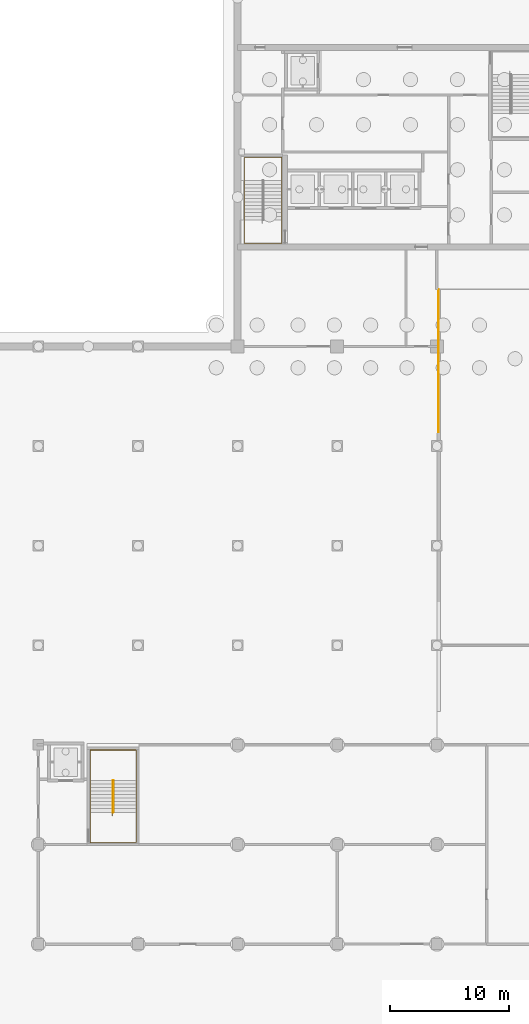
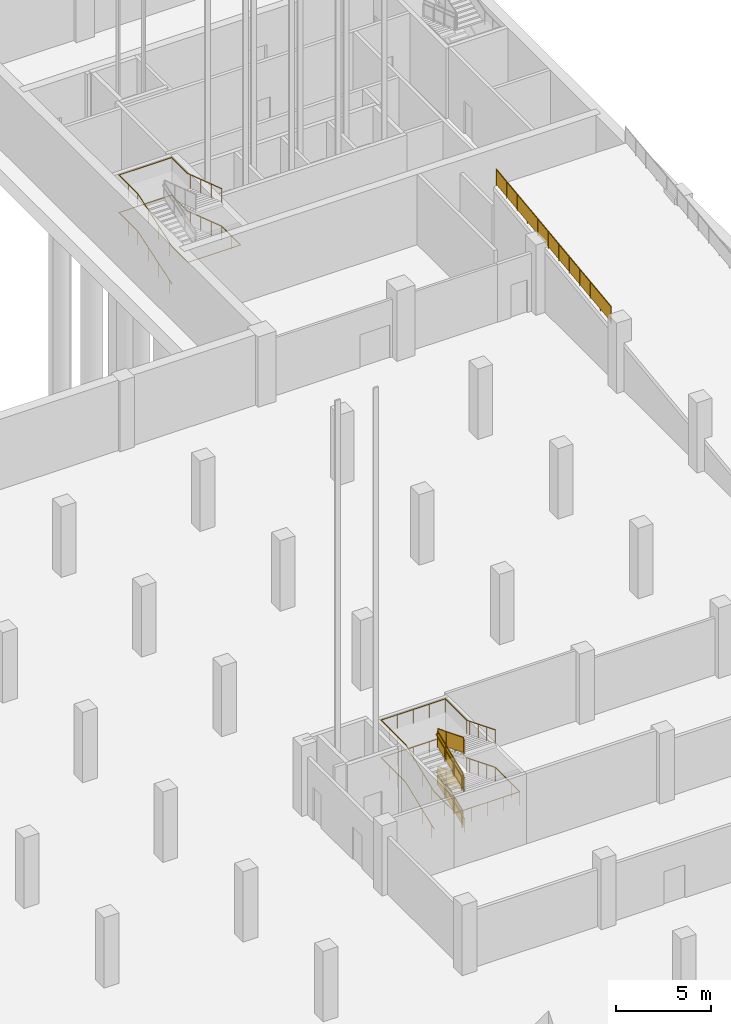
# One storey, part 23 of 26: 8 railings.
"""IFC4 building model written with IfcOpenShell, lengths in metres."""

from ifc_helpers import new_model, si_unit, direction, frame, origin, origin_2d, place, context, subcontext, project, spatial, polyline, circle, outline, extrude, material, type_object, element, save


model = new_model("IFC4")

# Units and contexts
model_context = context("Model", 3, precision=1e-05, world=origin(), true_north=direction((0.0, 1.0)))
body_context = subcontext(model_context, "Body", "Model", "MODEL_VIEW")
ifc_project = project(units=[si_unit("LENGTHUNIT", "METRE"), si_unit("AREAUNIT", "SQUARE_METRE"), si_unit("VOLUMEUNIT", "CUBIC_METRE"), si_unit("PLANEANGLEUNIT", "RADIAN"), si_unit("MASSUNIT", "GRAM", prefix="KILO")], contexts=[model_context])

# Site, building, storey
site_placement = place(None, origin())
site = spatial("IfcSite", under=ifc_project, at=site_placement, CompositionType="ELEMENT")
building_placement = place(site_placement, origin())
building = spatial("IfcBuilding", under=site, at=building_placement, Name="Rulbaag Community and Learning Centre", CompositionType="ELEMENT")
storey_placement = place(building_placement, frame((0.0, 0.0, -9.60009765625)))
storey = spatial("IfcBuildingStorey", under=building, at=storey_placement, Name="B2", CompositionType="ELEMENT", Elevation=-9.60009765625)

# Railings
ifc_material_1 = material(Name="Galvanised mild steel", Category="steel")
railing_type_1 = type_object("IfcRailingType", Name="GR-1100 GUARD 1100", PredefinedType="GUARDRAIL", material=ifc_material_1)
railing_1_placement = place(storey_placement, frame((132.280029296875, 44.71240234375, 0.1201171875)))
element("IfcRailing", 1, at=railing_1_placement, inside=storey, type_object=railing_type_1, Name="Guard SH3 B2 G", PredefinedType="GUARDRAIL", context=body_context, shape_type="SweptSolid", body=[
    extrude(circle(Radius=0.02490234375, at=origin_2d()), frame((0.0, 0.0, 1.0751953125), z_axis=(0.0, 0.928476690885, 0.371390676354), x_axis=(-1.0, 0.0, 0.0)), (0.0, 0.0, 1.0), 2.908203125),
    extrude(circle(Radius=0.02001953125, at=origin_2d()), origin(), (0.0, 0.0, 1.0), 1.050048828125),
    extrude(circle(Radius=0.02001953125, at=origin_2d()), frame((0.0, 0.900146484375, 0.360107421875)), (0.0, 0.0, 1.0), 1.050048828125),
    extrude(circle(Radius=0.02001953125, at=origin_2d()), frame((0.0, 1.800048828125, 0.719970703125)), (0.0, 0.0, 1.0), 1.050048828125),
    extrude(circle(Radius=0.02001953125, at=origin_2d()), frame((0.0, 2.7001953125, 1.080078125)), (0.0, 0.0, 1.0), 1.050048828125),
    extrude(outline(polyline([(0.0, 0.0), (2.7001953125, 1.080078125), (2.7001953125, 2.030029296875), (0.0, 0.949951171875), (0.0, 0.0)])), frame((-0.0048828125, 0.0, 0.10009765625), z_axis=(1.0, 0.0, 0.0), x_axis=(0.0, 1.0, 0.0)), (0.0, 0.0, 1.0), 0.010009765625),
])
railing_2_placement = place(storey_placement, frame((132.320068359375, 47.41259765625, 1.320068359375)))
element("IfcRailing", 2, at=railing_2_placement, inside=storey, type_object=railing_type_1, Name="Guard SH3 B2 G2", PredefinedType="GUARDRAIL", context=body_context, shape_type="SweptSolid", body=[
    extrude(circle(Radius=0.02490234375, at=origin_2d()), frame((0.0, 0.0, 1.0751953125), z_axis=(0.0, -0.928476690885, 0.371390676354), x_axis=(1.0, 0.0, 0.0)), (0.0, 0.0, 1.0), 2.908203125),
    extrude(circle(Radius=0.02001953125, at=origin_2d()), origin(), (0.0, 0.0, 1.0), 1.050048828125),
    extrude(circle(Radius=0.02001953125, at=origin_2d()), frame((0.0, -0.900146484375, 0.360107421875)), (0.0, 0.0, 1.0), 1.050048828125),
    extrude(circle(Radius=0.02001953125, at=origin_2d()), frame((0.0, -1.800048828125, 0.719970703125)), (0.0, 0.0, 1.0), 1.050048828125),
    extrude(circle(Radius=0.02001953125, at=origin_2d()), frame((0.0, -2.7001953125, 1.080078125)), (0.0, 0.0, 1.0), 1.050048828125),
    extrude(outline(polyline([(0.0, 0.0), (2.7001953125, 1.080078125), (2.7001953125, 2.030029296875), (0.0, 0.949951171875), (0.0, 0.0)])), frame((0.0048828125, 0.0, 0.10009765625), z_axis=(-1.0, 0.0, 0.0), x_axis=(0.0, -1.0, 0.0)), (0.0, 0.0, 1.0), 0.010009765625),
])
railing_3_placement = place(storey_placement, frame((132.280029296875, 44.71240234375, 2.52001953125)))
element("IfcRailing", 3, at=railing_3_placement, inside=storey, type_object=railing_type_1, Name="Guard SH3 B2 G3", PredefinedType="GUARDRAIL", context=body_context, shape_type="SweptSolid", body=[
    extrude(circle(Radius=0.02490234375, at=origin_2d()), frame((0.0, 0.0, 1.0751953125), z_axis=(0.0, 0.928476690885, 0.371390676354), x_axis=(-1.0, 0.0, 0.0)), (0.0, 0.0, 1.0), 2.908203125),
    extrude(circle(Radius=0.02001953125, at=origin_2d()), origin(), (0.0, 0.0, 1.0), 1.050048828125),
    extrude(circle(Radius=0.02001953125, at=origin_2d()), frame((0.0, 0.900146484375, 0.360107421875)), (0.0, 0.0, 1.0), 1.050048828125),
    extrude(circle(Radius=0.02001953125, at=origin_2d()), frame((0.0, 1.800048828125, 0.719970703125)), (0.0, 0.0, 1.0), 1.050048828125),
    extrude(circle(Radius=0.02001953125, at=origin_2d()), frame((0.0, 2.7001953125, 1.080078125)), (0.0, 0.0, 1.0), 1.050048828125),
    extrude(outline(polyline([(0.0, 0.0), (2.7001953125, 1.080078125), (2.7001953125, 2.030029296875), (0.0, 0.949951171875), (0.0, 0.0)])), frame((-0.0048828125, 0.0, 0.10009765625), z_axis=(1.0, 0.0, 0.0), x_axis=(0.0, 1.0, 0.0)), (0.0, 0.0, 1.0), 0.010009765625),
])
railing_4_placement = place(storey_placement, frame((132.320068359375, 47.41259765625, 3.72021484375)))
element("IfcRailing", 4, at=railing_4_placement, inside=storey, type_object=railing_type_1, Name="Guard SH3 B2 G4", PredefinedType="GUARDRAIL", context=body_context, shape_type="SweptSolid", body=[
    extrude(circle(Radius=0.02490234375, at=origin_2d()), frame((0.0, 0.0, 1.0751953125), z_axis=(0.0, -0.928505636922, 0.371318303084), x_axis=(1.0, 0.0, 0.0)), (0.0, 0.0, 1.0), 2.908203125),
    extrude(circle(Radius=0.02001953125, at=origin_2d()), origin(), (0.0, 0.0, 1.0), 1.050048828125),
    extrude(circle(Radius=0.02001953125, at=origin_2d()), frame((0.0, -0.900146484375, 0.35986328125)), (0.0, 0.0, 1.0), 1.050048828125),
    extrude(circle(Radius=0.02001953125, at=origin_2d()), frame((0.0, -1.800048828125, 0.719970703125)), (0.0, 0.0, 1.0), 1.050048828125),
    extrude(circle(Radius=0.02001953125, at=origin_2d()), frame((0.0, -2.7001953125, 1.079833984375)), (0.0, 0.0, 1.0), 1.050048828125),
    extrude(outline(polyline([(0.0, 0.0), (2.7001953125, 1.079833984375), (2.7001953125, 2.02978515625), (0.0, 0.949951171875), (0.0, 0.0)])), frame((0.0048828125, 0.0, 0.10009765625), z_axis=(-1.0, 0.0, 0.0), x_axis=(0.0, -1.0, 0.0)), (0.0, 0.0, 1.0), 0.010009765625),
])
ifc_material_2 = material(Name="Stainless steel grade 316", Category="steel")
railing_type_2 = type_object("IfcRailingType", Name="HR-900 HANDRAIL 900", PredefinedType="HANDRAIL", material=ifc_material_2)
railing_5_placement = place(storey_placement, frame((130.360107421875, 44.41259765625, 0.0)))
element("IfcRailing", 5, at=railing_5_placement, inside=storey, type_object=railing_type_2, Name="Handrail SH3 B2 O", PredefinedType="HANDRAIL", context=body_context, shape_type="SweptSolid", body=[
    extrude(circle(Radius=0.024169921875, at=origin_2d()), frame((0.0, 0.0, 0.875732421875), z_axis=(0.0, 0.928268015265, 0.371911940969), x_axis=(-1.0, 0.0, 0.0)), (0.0, 0.0, 1.0), 0.322998046875),
    extrude(circle(Radius=0.024169921875, at=origin_2d()), frame((0.0, 0.2998046875, 0.995849609375), z_axis=(0.0, 0.928476690885, 0.371390676354), x_axis=(-1.0, 0.0, 0.0)), (0.0, 0.0, 1.0), 2.908203125),
    extrude(circle(Radius=0.024169921875, at=origin_2d()), frame((0.0, 3.0, 2.075927734375), z_axis=(0.0, 1.0, 0.0), x_axis=(-1.0, 0.0, 0.0)), (0.0, 0.0, 1.0), 2.552490234375),
    extrude(circle(Radius=0.024169921875, at=origin_2d()), frame((0.0, 5.552490234375, 2.075927734375), z_axis=(1.0, 0.0, 0.0), x_axis=(0.0, 1.0, 0.0)), (0.0, 0.0, 1.0), 3.8798828125),
    extrude(circle(Radius=0.024169921875, at=origin_2d()), frame((3.8798828125, 5.552490234375, 2.075927734375), z_axis=(0.0, -1.0, 0.0), x_axis=(1.0, 0.0, 0.0)), (0.0, 0.0, 1.0), 2.252685546875),
    extrude(circle(Radius=0.024169921875, at=origin_2d()), frame((3.8798828125, 3.2998046875, 2.075927734375), z_axis=(0.0, -0.928528828696, 0.371260305285), x_axis=(1.0, 0.0, 0.0)), (0.0, 0.0, 1.0), 0.322998046875),
    extrude(circle(Radius=0.024169921875, at=origin_2d()), frame((3.8798828125, 3.0, 2.19580078125), z_axis=(0.0, -0.928476690885, 0.371390676354), x_axis=(1.0, 0.0, 0.0)), (0.0, 0.0, 1.0), 2.908203125),
    extrude(circle(Radius=0.024169921875, at=origin_2d()), frame((3.8798828125, 0.2998046875, 3.27587890625), z_axis=(0.0, -1.0, 0.0), x_axis=(1.0, 0.0, 0.0)), (0.0, 0.0, 1.0), 2.552490234375),
    extrude(circle(Radius=0.024169921875, at=origin_2d()), frame((3.8798828125, -2.252685546875, 3.27587890625), z_axis=(-1.0, 0.0, 0.0), x_axis=(0.0, -1.0, 0.0)), (0.0, 0.0, 1.0), 3.8798828125),
    extrude(circle(Radius=0.024169921875, at=origin_2d()), frame((0.0, -2.252685546875, 3.27587890625), z_axis=(0.0, 1.0, 0.0), x_axis=(-1.0, 0.0, 0.0)), (0.0, 0.0, 1.0), 2.252685546875),
    extrude(circle(Radius=0.024169921875, at=origin_2d()), frame((0.0, 0.0, 3.27587890625), z_axis=(0.0, 0.928528828696, 0.371260305285), x_axis=(-1.0, 0.0, 0.0)), (0.0, 0.0, 1.0), 0.322998046875),
    extrude(circle(Radius=0.024169921875, at=origin_2d()), frame((0.0, 0.2998046875, 3.395751953125), z_axis=(0.0, 0.928476690885, 0.371390676354), x_axis=(-1.0, 0.0, 0.0)), (0.0, 0.0, 1.0), 2.908203125),
    extrude(circle(Radius=0.024169921875, at=origin_2d()), frame((0.0, 3.0, 4.475830078125), z_axis=(0.0, 1.0, 0.0), x_axis=(-1.0, 0.0, 0.0)), (0.0, 0.0, 1.0), 2.552490234375),
    extrude(circle(Radius=0.024169921875, at=origin_2d()), frame((0.0, 5.552490234375, 4.475830078125), z_axis=(1.0, 0.0, 0.0), x_axis=(0.0, 1.0, 0.0)), (0.0, 0.0, 1.0), 3.8798828125),
    extrude(circle(Radius=0.024169921875, at=origin_2d()), frame((3.8798828125, 5.552490234375, 4.475830078125), z_axis=(0.0, -1.0, 0.0), x_axis=(1.0, 0.0, 0.0)), (0.0, 0.0, 1.0), 2.252685546875),
    extrude(circle(Radius=0.024169921875, at=origin_2d()), frame((3.8798828125, 3.2998046875, 4.475830078125), z_axis=(0.0, -0.928268015265, 0.371911940969), x_axis=(1.0, 0.0, 0.0)), (0.0, 0.0, 1.0), 0.322998046875),
    extrude(circle(Radius=0.024169921875, at=origin_2d()), frame((3.8798828125, 3.0, 4.595947265625), z_axis=(0.0, -0.928505636922, 0.371318303084), x_axis=(1.0, 0.0, 0.0)), (0.0, 0.0, 1.0), 2.908203125),
    extrude(circle(Radius=0.008056640625, at=origin_2d()), origin(), (0.0, 0.0, 1.0), 0.8515625),
    extrude(circle(Radius=0.008056640625, at=origin_2d()), frame((0.0, 0.2998046875, 0.1201171875)), (0.0, 0.0, 1.0), 0.8515625),
    extrude(circle(Radius=0.008056640625, at=origin_2d()), frame((0.0, 1.199951171875, 0.480224609375)), (0.0, 0.0, 1.0), 0.8515625),
    extrude(circle(Radius=0.008056640625, at=origin_2d()), frame((0.0, 2.099853515625, 0.840087890625)), (0.0, 0.0, 1.0), 0.8515625),
    extrude(circle(Radius=0.008056640625, at=origin_2d()), frame((0.0, 3.0, 1.2001953125)), (0.0, 0.0, 1.0), 0.8515625),
    extrude(circle(Radius=0.008056640625, at=origin_2d()), frame((0.0, 3.850830078125, 1.2001953125)), (0.0, 0.0, 1.0), 0.8515625),
    extrude(circle(Radius=0.008056640625, at=origin_2d()), frame((0.0, 4.70166015625, 1.2001953125)), (0.0, 0.0, 1.0), 0.8515625),
    extrude(circle(Radius=0.008056640625, at=origin_2d()), frame((0.0, 5.552490234375, 1.2001953125)), (0.0, 0.0, 1.0), 0.8515625),
    extrude(circle(Radius=0.008056640625, at=origin_2d()), frame((0.969970703125, 5.552490234375, 1.2001953125)), (0.0, 0.0, 1.0), 0.8515625),
    extrude(circle(Radius=0.008056640625, at=origin_2d()), frame((1.93994140625, 5.552490234375, 1.2001953125)), (0.0, 0.0, 1.0), 0.8515625),
    extrude(circle(Radius=0.008056640625, at=origin_2d()), frame((2.909912109375, 5.552490234375, 1.2001953125)), (0.0, 0.0, 1.0), 0.8515625),
    extrude(circle(Radius=0.008056640625, at=origin_2d()), frame((3.8798828125, 5.552490234375, 1.2001953125)), (0.0, 0.0, 1.0), 0.8515625),
    extrude(circle(Radius=0.008056640625, at=origin_2d()), frame((3.8798828125, 4.42626953125, 1.2001953125)), (0.0, 0.0, 1.0), 0.8515625),
    extrude(circle(Radius=0.008056640625, at=origin_2d()), frame((3.8798828125, 3.2998046875, 1.2001953125)), (0.0, 0.0, 1.0), 0.8515625),
    extrude(circle(Radius=0.008056640625, at=origin_2d()), frame((3.8798828125, 3.0, 1.320068359375)), (0.0, 0.0, 1.0), 0.8515625),
    extrude(circle(Radius=0.008056640625, at=origin_2d()), frame((3.8798828125, 2.099853515625, 1.68017578125)), (0.0, 0.0, 1.0), 0.8515625),
    extrude(circle(Radius=0.008056640625, at=origin_2d()), frame((3.8798828125, 1.199951171875, 2.0400390625)), (0.0, 0.0, 1.0), 0.8515625),
    extrude(circle(Radius=0.008056640625, at=origin_2d()), frame((3.8798828125, 0.2998046875, 2.400146484375)), (0.0, 0.0, 1.0), 0.8515625),
    extrude(circle(Radius=0.008056640625, at=origin_2d()), frame((3.8798828125, -0.551025390625, 2.400146484375)), (0.0, 0.0, 1.0), 0.8515625),
    extrude(circle(Radius=0.008056640625, at=origin_2d()), frame((3.8798828125, -1.40185546875, 2.400146484375)), (0.0, 0.0, 1.0), 0.8515625),
    extrude(circle(Radius=0.008056640625, at=origin_2d()), frame((3.8798828125, -2.252685546875, 2.400146484375)), (0.0, 0.0, 1.0), 0.8515625),
    extrude(circle(Radius=0.008056640625, at=origin_2d()), frame((2.909912109375, -2.252685546875, 2.400146484375)), (0.0, 0.0, 1.0), 0.8515625),
    extrude(circle(Radius=0.008056640625, at=origin_2d()), frame((1.93994140625, -2.252685546875, 2.400146484375)), (0.0, 0.0, 1.0), 0.8515625),
    extrude(circle(Radius=0.008056640625, at=origin_2d()), frame((0.969970703125, -2.252685546875, 2.400146484375)), (0.0, 0.0, 1.0), 0.8515625),
    extrude(circle(Radius=0.008056640625, at=origin_2d()), frame((0.0, -2.252685546875, 2.400146484375)), (0.0, 0.0, 1.0), 0.8515625),
    extrude(circle(Radius=0.008056640625, at=origin_2d()), frame((0.0, -1.12646484375, 2.400146484375)), (0.0, 0.0, 1.0), 0.8515625),
    extrude(circle(Radius=0.008056640625, at=origin_2d()), frame((0.0, 0.0, 2.400146484375)), (0.0, 0.0, 1.0), 0.8515625),
    extrude(circle(Radius=0.008056640625, at=origin_2d()), frame((0.0, 0.2998046875, 2.52001953125)), (0.0, 0.0, 1.0), 0.8515625),
    extrude(circle(Radius=0.008056640625, at=origin_2d()), frame((0.0, 1.199951171875, 2.880126953125)), (0.0, 0.0, 1.0), 0.8515625),
    extrude(circle(Radius=0.008056640625, at=origin_2d()), frame((0.0, 2.099853515625, 3.239990234375)), (0.0, 0.0, 1.0), 0.8515625),
    extrude(circle(Radius=0.008056640625, at=origin_2d()), frame((0.0, 3.0, 3.60009765625)), (0.0, 0.0, 1.0), 0.8515625),
    extrude(circle(Radius=0.008056640625, at=origin_2d()), frame((0.0, 3.850830078125, 3.60009765625)), (0.0, 0.0, 1.0), 0.8515625),
    extrude(circle(Radius=0.008056640625, at=origin_2d()), frame((0.0, 4.70166015625, 3.60009765625)), (0.0, 0.0, 1.0), 0.8515625),
    extrude(circle(Radius=0.008056640625, at=origin_2d()), frame((0.0, 5.552490234375, 3.60009765625)), (0.0, 0.0, 1.0), 0.8515625),
    extrude(circle(Radius=0.008056640625, at=origin_2d()), frame((0.969970703125, 5.552490234375, 3.60009765625)), (0.0, 0.0, 1.0), 0.8515625),
    extrude(circle(Radius=0.008056640625, at=origin_2d()), frame((1.93994140625, 5.552490234375, 3.60009765625)), (0.0, 0.0, 1.0), 0.8515625),
    extrude(circle(Radius=0.008056640625, at=origin_2d()), frame((2.909912109375, 5.552490234375, 3.60009765625)), (0.0, 0.0, 1.0), 0.8515625),
    extrude(circle(Radius=0.008056640625, at=origin_2d()), frame((3.8798828125, 5.552490234375, 3.60009765625)), (0.0, 0.0, 1.0), 0.8515625),
    extrude(circle(Radius=0.008056640625, at=origin_2d()), frame((3.8798828125, 4.42626953125, 3.60009765625)), (0.0, 0.0, 1.0), 0.8515625),
    extrude(circle(Radius=0.008056640625, at=origin_2d()), frame((3.8798828125, 3.2998046875, 3.60009765625)), (0.0, 0.0, 1.0), 0.8515625),
    extrude(circle(Radius=0.008056640625, at=origin_2d()), frame((3.8798828125, 3.0, 3.72021484375)), (0.0, 0.0, 1.0), 0.8515625),
    extrude(circle(Radius=0.008056640625, at=origin_2d()), frame((3.8798828125, 2.099853515625, 4.080078125)), (0.0, 0.0, 1.0), 0.8515625),
    extrude(circle(Radius=0.008056640625, at=origin_2d()), frame((3.8798828125, 1.199951171875, 4.440185546875)), (0.0, 0.0, 1.0), 0.8515625),
    extrude(circle(Radius=0.008056640625, at=origin_2d()), frame((3.8798828125, 0.2998046875, 4.800048828125)), (0.0, 0.0, 1.0), 0.8515625),
])
railing_6_placement = place(storey_placement, frame((132.2099609375, 44.41259765625, 0.0)))
element("IfcRailing", 6, at=railing_6_placement, inside=storey, type_object=railing_type_2, Name="Handrail SH3 B2 I", PredefinedType="HANDRAIL", context=body_context, shape_type="SweptSolid", body=[
    extrude(circle(Radius=0.024169921875, at=origin_2d()), frame((0.0, 0.0, 0.875732421875), z_axis=(0.0, 0.928268015265, 0.371911940969), x_axis=(-1.0, 0.0, 0.0)), (0.0, 0.0, 1.0), 0.322998046875),
    extrude(circle(Radius=0.024169921875, at=origin_2d()), frame((0.0, 0.2998046875, 0.995849609375), z_axis=(0.0, 0.928476690885, 0.371390676354), x_axis=(-1.0, 0.0, 0.0)), (0.0, 0.0, 1.0), 2.908203125),
    extrude(circle(Radius=0.024169921875, at=origin_2d()), frame((0.0, 3.0, 2.075927734375), z_axis=(0.832223977356, 0.0, 0.554439583286), x_axis=(0.0, 1.0, 0.0)), (0.0, 0.0, 1.0), 0.21630859375),
    extrude(circle(Radius=0.024169921875, at=origin_2d()), frame((0.179931640625, 3.0, 2.19580078125), z_axis=(0.0, -0.928476690885, 0.371390676354), x_axis=(1.0, 0.0, 0.0)), (0.0, 0.0, 1.0), 2.908203125),
    extrude(circle(Radius=0.024169921875, at=origin_2d()), frame((0.179931640625, 0.2998046875, 3.27587890625), z_axis=(-0.832223977356, 0.0, 0.554439583286), x_axis=(0.0, -1.0, 0.0)), (0.0, 0.0, 1.0), 0.21630859375),
    extrude(circle(Radius=0.024169921875, at=origin_2d()), frame((0.0, 0.2998046875, 3.395751953125), z_axis=(0.0, 0.928476690885, 0.371390676354), x_axis=(-1.0, 0.0, 0.0)), (0.0, 0.0, 1.0), 2.908203125),
    extrude(circle(Radius=0.024169921875, at=origin_2d()), frame((0.0, 3.0, 4.475830078125), z_axis=(0.831702901217, 0.0, 0.555220932699), x_axis=(0.0, 1.0, 0.0)), (0.0, 0.0, 1.0), 0.21630859375),
    extrude(circle(Radius=0.024169921875, at=origin_2d()), frame((0.179931640625, 3.0, 4.595947265625), z_axis=(0.0, -0.928505636922, 0.371318303084), x_axis=(1.0, 0.0, 0.0)), (0.0, 0.0, 1.0), 2.908203125),
    extrude(circle(Radius=0.008056640625, at=origin_2d()), origin(), (0.0, 0.0, 1.0), 0.8515625),
    extrude(circle(Radius=0.008056640625, at=origin_2d()), frame((0.0, 0.2998046875, 0.1201171875)), (0.0, 0.0, 1.0), 0.8515625),
    extrude(circle(Radius=0.008056640625, at=origin_2d()), frame((0.0, 1.199951171875, 0.480224609375)), (0.0, 0.0, 1.0), 0.8515625),
    extrude(circle(Radius=0.008056640625, at=origin_2d()), frame((0.0, 2.099853515625, 0.840087890625)), (0.0, 0.0, 1.0), 0.8515625),
    extrude(circle(Radius=0.008056640625, at=origin_2d()), frame((0.0, 3.0, 1.2001953125)), (0.0, 0.0, 1.0), 0.8515625),
    extrude(circle(Radius=0.008056640625, at=origin_2d()), frame((0.179931640625, 3.0, 1.320068359375)), (0.0, 0.0, 1.0), 0.8515625),
    extrude(circle(Radius=0.008056640625, at=origin_2d()), frame((0.179931640625, 2.099853515625, 1.68017578125)), (0.0, 0.0, 1.0), 0.8515625),
    extrude(circle(Radius=0.008056640625, at=origin_2d()), frame((0.179931640625, 1.199951171875, 2.0400390625)), (0.0, 0.0, 1.0), 0.8515625),
    extrude(circle(Radius=0.008056640625, at=origin_2d()), frame((0.179931640625, 0.2998046875, 2.400146484375)), (0.0, 0.0, 1.0), 0.8515625),
    extrude(circle(Radius=0.008056640625, at=origin_2d()), frame((0.0, 0.2998046875, 2.52001953125)), (0.0, 0.0, 1.0), 0.8515625),
    extrude(circle(Radius=0.008056640625, at=origin_2d()), frame((0.0, 1.199951171875, 2.880126953125)), (0.0, 0.0, 1.0), 0.8515625),
    extrude(circle(Radius=0.008056640625, at=origin_2d()), frame((0.0, 2.099853515625, 3.239990234375)), (0.0, 0.0, 1.0), 0.8515625),
    extrude(circle(Radius=0.008056640625, at=origin_2d()), frame((0.0, 3.0, 3.60009765625)), (0.0, 0.0, 1.0), 0.8515625),
    extrude(circle(Radius=0.008056640625, at=origin_2d()), frame((0.179931640625, 3.0, 3.72021484375)), (0.0, 0.0, 1.0), 0.8515625),
    extrude(circle(Radius=0.008056640625, at=origin_2d()), frame((0.179931640625, 2.099853515625, 4.080078125)), (0.0, 0.0, 1.0), 0.8515625),
    extrude(circle(Radius=0.008056640625, at=origin_2d()), frame((0.179931640625, 1.199951171875, 4.440185546875)), (0.0, 0.0, 1.0), 0.8515625),
    extrude(circle(Radius=0.008056640625, at=origin_2d()), frame((0.179931640625, 0.2998046875, 4.800048828125)), (0.0, 0.0, 1.0), 0.8515625),
])
railing_7_placement = place(storey_placement, frame((143.360107421875, 94.375, 0.0)))
element("IfcRailing", 7, at=railing_7_placement, inside=storey, type_object=railing_type_2, Name="Handrail ST1 B2 O", PredefinedType="HANDRAIL", context=body_context, shape_type="SweptSolid", body=[
    extrude(circle(Radius=0.024169921875, at=origin_2d()), frame((0.0, 0.0, 0.875732421875), z_axis=(0.0, 0.948606084593, 0.316459312191), x_axis=(-1.0, 0.0, 0.0)), (0.0, 0.0, 1.0), 0.31640625),
    extrude(circle(Radius=0.024169921875, at=origin_2d()), frame((0.0, 0.300048828125, 0.975830078125), z_axis=(0.0, 0.948676279423, 0.31624882112), x_axis=(-1.0, 0.0, 0.0)), (0.0, 0.0, 1.0), 3.478515625),
    extrude(circle(Radius=0.024169921875, at=origin_2d()), frame((0.0, 3.60009765625, 2.075927734375), z_axis=(0.0, 1.0, 0.0), x_axis=(-1.0, 0.0, 0.0)), (0.0, 0.0, 1.0), 1.96484375),
    extrude(circle(Radius=0.024169921875, at=origin_2d()), frame((0.0, 5.56494140625, 2.075927734375), z_axis=(1.0, 0.0, 0.0), x_axis=(0.0, 1.0, 0.0)), (0.0, 0.0, 1.0), 3.179931640625),
    extrude(circle(Radius=0.024169921875, at=origin_2d()), frame((3.179931640625, 5.56494140625, 2.075927734375), z_axis=(0.0, -1.0, 0.0), x_axis=(1.0, 0.0, 0.0)), (0.0, 0.0, 1.0), 1.6650390625),
    extrude(circle(Radius=0.024169921875, at=origin_2d()), frame((3.179931640625, 3.89990234375, 2.075927734375), z_axis=(0.0, -0.948760530366, 0.31599597469), x_axis=(1.0, 0.0, 0.0)), (0.0, 0.0, 1.0), 0.31591796875),
    extrude(circle(Radius=0.024169921875, at=origin_2d()), frame((3.179931640625, 3.60009765625, 2.17578125), z_axis=(0.0, -0.948676279423, 0.31624882112), x_axis=(1.0, 0.0, 0.0)), (0.0, 0.0, 1.0), 3.478515625),
    extrude(circle(Radius=0.024169921875, at=origin_2d()), frame((3.179931640625, 0.300048828125, 3.27587890625), z_axis=(0.0, -1.0, 0.0), x_axis=(1.0, 0.0, 0.0)), (0.0, 0.0, 1.0), 1.965087890625),
    extrude(circle(Radius=0.024169921875, at=origin_2d()), frame((3.179931640625, -1.6650390625, 3.27587890625), z_axis=(-1.0, 0.0, 0.0), x_axis=(0.0, -1.0, 0.0)), (0.0, 0.0, 1.0), 3.179931640625),
    extrude(circle(Radius=0.024169921875, at=origin_2d()), frame((0.0, -1.6650390625, 3.27587890625), z_axis=(0.0, 1.0, 0.0), x_axis=(-1.0, 0.0, 0.0)), (0.0, 0.0, 1.0), 1.6650390625),
    extrude(circle(Radius=0.024169921875, at=origin_2d()), frame((0.0, 0.0, 3.27587890625), z_axis=(0.0, 0.948837593029, 0.315764504108), x_axis=(-1.0, 0.0, 0.0)), (0.0, 0.0, 1.0), 0.316162109375),
    extrude(circle(Radius=0.024169921875, at=origin_2d()), frame((0.0, 0.300048828125, 3.375732421875), z_axis=(0.0, 0.948676279423, 0.31624882112), x_axis=(-1.0, 0.0, 0.0)), (0.0, 0.0, 1.0), 3.478515625),
    extrude(circle(Radius=0.024169921875, at=origin_2d()), frame((0.0, 3.60009765625, 4.475830078125), z_axis=(0.0, 1.0, 0.0), x_axis=(-1.0, 0.0, 0.0)), (0.0, 0.0, 1.0), 1.96484375),
    extrude(circle(Radius=0.024169921875, at=origin_2d()), frame((0.0, 5.56494140625, 4.475830078125), z_axis=(1.0, 0.0, 0.0), x_axis=(0.0, 1.0, 0.0)), (0.0, 0.0, 1.0), 3.179931640625),
    extrude(circle(Radius=0.024169921875, at=origin_2d()), frame((3.179931640625, 5.56494140625, 4.475830078125), z_axis=(0.0, -1.0, 0.0), x_axis=(1.0, 0.0, 0.0)), (0.0, 0.0, 1.0), 1.6650390625),
    extrude(circle(Radius=0.024169921875, at=origin_2d()), frame((3.179931640625, 3.89990234375, 4.475830078125), z_axis=(0.0, -0.948528701346, 0.316691178788), x_axis=(1.0, 0.0, 0.0)), (0.0, 0.0, 1.0), 0.316162109375),
    extrude(circle(Radius=0.024169921875, at=origin_2d()), frame((3.179931640625, 3.60009765625, 4.575927734375), z_axis=(0.0, -0.948697334215, 0.316185654408), x_axis=(1.0, 0.0, 0.0)), (0.0, 0.0, 1.0), 3.478515625),
    extrude(circle(Radius=0.008056640625, at=origin_2d()), origin(), (0.0, 0.0, 1.0), 0.8515625),
    extrude(circle(Radius=0.008056640625, at=origin_2d()), frame((0.0, 0.300048828125, 0.10009765625)), (0.0, 0.0, 1.0), 0.8515625),
    extrude(circle(Radius=0.008056640625, at=origin_2d()), frame((0.0, 1.400146484375, 0.466796875)), (0.0, 0.0, 1.0), 0.8515625),
    extrude(circle(Radius=0.008056640625, at=origin_2d()), frame((0.0, 2.5, 0.83349609375)), (0.0, 0.0, 1.0), 0.8515625),
    extrude(circle(Radius=0.008056640625, at=origin_2d()), frame((0.0, 3.60009765625, 1.2001953125)), (0.0, 0.0, 1.0), 0.8515625),
    extrude(circle(Radius=0.008056640625, at=origin_2d()), frame((0.0, 4.58251953125, 1.2001953125)), (0.0, 0.0, 1.0), 0.8515625),
    extrude(circle(Radius=0.008056640625, at=origin_2d()), frame((0.0, 5.56494140625, 1.2001953125)), (0.0, 0.0, 1.0), 0.8515625),
    extrude(circle(Radius=0.008056640625, at=origin_2d()), frame((1.06005859375, 5.56494140625, 1.2001953125)), (0.0, 0.0, 1.0), 0.8515625),
    extrude(circle(Radius=0.008056640625, at=origin_2d()), frame((2.119873046875, 5.56494140625, 1.2001953125)), (0.0, 0.0, 1.0), 0.8515625),
    extrude(circle(Radius=0.008056640625, at=origin_2d()), frame((3.179931640625, 5.56494140625, 1.2001953125)), (0.0, 0.0, 1.0), 0.8515625),
    extrude(circle(Radius=0.008056640625, at=origin_2d()), frame((3.179931640625, 4.732421875, 1.2001953125)), (0.0, 0.0, 1.0), 0.8515625),
    extrude(circle(Radius=0.008056640625, at=origin_2d()), frame((3.179931640625, 3.89990234375, 1.2001953125)), (0.0, 0.0, 1.0), 0.8515625),
    extrude(circle(Radius=0.008056640625, at=origin_2d()), frame((3.179931640625, 3.60009765625, 1.300048828125)), (0.0, 0.0, 1.0), 0.8515625),
    extrude(circle(Radius=0.008056640625, at=origin_2d()), frame((3.179931640625, 2.5, 1.666748046875)), (0.0, 0.0, 1.0), 0.8515625),
    extrude(circle(Radius=0.008056640625, at=origin_2d()), frame((3.179931640625, 1.400146484375, 2.033447265625)), (0.0, 0.0, 1.0), 0.8515625),
    extrude(circle(Radius=0.008056640625, at=origin_2d()), frame((3.179931640625, 0.300048828125, 2.400146484375)), (0.0, 0.0, 1.0), 0.8515625),
    extrude(circle(Radius=0.008056640625, at=origin_2d()), frame((3.179931640625, -0.6826171875, 2.400146484375)), (0.0, 0.0, 1.0), 0.8515625),
    extrude(circle(Radius=0.008056640625, at=origin_2d()), frame((3.179931640625, -1.6650390625, 2.400146484375)), (0.0, 0.0, 1.0), 0.8515625),
    extrude(circle(Radius=0.008056640625, at=origin_2d()), frame((2.119873046875, -1.6650390625, 2.400146484375)), (0.0, 0.0, 1.0), 0.8515625),
    extrude(circle(Radius=0.008056640625, at=origin_2d()), frame((1.06005859375, -1.6650390625, 2.400146484375)), (0.0, 0.0, 1.0), 0.8515625),
    extrude(circle(Radius=0.008056640625, at=origin_2d()), frame((0.0, -1.6650390625, 2.400146484375)), (0.0, 0.0, 1.0), 0.8515625),
    extrude(circle(Radius=0.008056640625, at=origin_2d()), frame((0.0, -0.83251953125, 2.400146484375)), (0.0, 0.0, 1.0), 0.8515625),
    extrude(circle(Radius=0.008056640625, at=origin_2d()), frame((0.0, 0.0, 2.400146484375)), (0.0, 0.0, 1.0), 0.8515625),
    extrude(circle(Radius=0.008056640625, at=origin_2d()), frame((0.0, 0.300048828125, 2.5)), (0.0, 0.0, 1.0), 0.8515625),
    extrude(circle(Radius=0.008056640625, at=origin_2d()), frame((0.0, 1.400146484375, 2.86669921875)), (0.0, 0.0, 1.0), 0.8515625),
    extrude(circle(Radius=0.008056640625, at=origin_2d()), frame((0.0, 2.5, 3.2333984375)), (0.0, 0.0, 1.0), 0.8515625),
    extrude(circle(Radius=0.008056640625, at=origin_2d()), frame((0.0, 3.60009765625, 3.60009765625)), (0.0, 0.0, 1.0), 0.8515625),
    extrude(circle(Radius=0.008056640625, at=origin_2d()), frame((0.0, 4.58251953125, 3.60009765625)), (0.0, 0.0, 1.0), 0.8515625),
    extrude(circle(Radius=0.008056640625, at=origin_2d()), frame((0.0, 5.56494140625, 3.60009765625)), (0.0, 0.0, 1.0), 0.8515625),
    extrude(circle(Radius=0.008056640625, at=origin_2d()), frame((1.06005859375, 5.56494140625, 3.60009765625)), (0.0, 0.0, 1.0), 0.8515625),
    extrude(circle(Radius=0.008056640625, at=origin_2d()), frame((2.119873046875, 5.56494140625, 3.60009765625)), (0.0, 0.0, 1.0), 0.8515625),
    extrude(circle(Radius=0.008056640625, at=origin_2d()), frame((3.179931640625, 5.56494140625, 3.60009765625)), (0.0, 0.0, 1.0), 0.8515625),
    extrude(circle(Radius=0.008056640625, at=origin_2d()), frame((3.179931640625, 4.732421875, 3.60009765625)), (0.0, 0.0, 1.0), 0.8515625),
    extrude(circle(Radius=0.008056640625, at=origin_2d()), frame((3.179931640625, 3.89990234375, 3.60009765625)), (0.0, 0.0, 1.0), 0.8515625),
    extrude(circle(Radius=0.008056640625, at=origin_2d()), frame((3.179931640625, 3.60009765625, 3.7001953125)), (0.0, 0.0, 1.0), 0.8515625),
    extrude(circle(Radius=0.008056640625, at=origin_2d()), frame((3.179931640625, 2.5, 4.06689453125)), (0.0, 0.0, 1.0), 0.8515625),
    extrude(circle(Radius=0.008056640625, at=origin_2d()), frame((3.179931640625, 1.400146484375, 4.433349609375)), (0.0, 0.0, 1.0), 0.8515625),
    extrude(circle(Radius=0.008056640625, at=origin_2d()), frame((3.179931640625, 0.300048828125, 4.800048828125)), (0.0, 0.0, 1.0), 0.8515625),
])
railing_type_3 = type_object("IfcRailingType", Name="RL-110", PredefinedType="GUARDRAIL", material=ifc_material_1)
railing_8_placement = place(storey_placement, frame((159.75, 76.781982421875, 3.2978515625)))
element("IfcRailing", 8, at=railing_8_placement, inside=storey, type_object=railing_type_3, Name="Guard on ramp wall", PredefinedType="GUARDRAIL", context=body_context, shape_type="SweptSolid", body=[
    extrude(circle(Radius=0.02490234375, at=origin_2d()), frame((0.0, 0.0, 1.0751953125), z_axis=(0.0, 0.992278496935, 0.124029772714), x_axis=(-1.0, 0.0, 0.0)), (0.0, 0.0, 1.0), 12.111572265625),
    extrude(circle(Radius=0.02001953125, at=origin_2d()), origin(), (0.0, 0.0, 1.0), 1.050048828125),
    extrude(circle(Radius=0.02001953125, at=origin_2d()), frame((0.0, 1.092529296875, 0.136474609375)), (0.0, 0.0, 1.0), 1.050048828125),
    extrude(circle(Radius=0.02001953125, at=origin_2d()), frame((0.0, 2.18505859375, 0.273193359375)), (0.0, 0.0, 1.0), 1.050048828125),
    extrude(circle(Radius=0.02001953125, at=origin_2d()), frame((0.0, 3.277587890625, 0.40966796875)), (0.0, 0.0, 1.0), 1.050048828125),
    extrude(circle(Radius=0.02001953125, at=origin_2d()), frame((0.0, 4.3701171875, 0.546142578125)), (0.0, 0.0, 1.0), 1.050048828125),
    extrude(circle(Radius=0.02001953125, at=origin_2d()), frame((0.0, 5.462646484375, 0.682861328125)), (0.0, 0.0, 1.0), 1.050048828125),
    extrude(circle(Radius=0.02001953125, at=origin_2d()), frame((0.0, 6.555419921875, 0.8193359375)), (0.0, 0.0, 1.0), 1.050048828125),
    extrude(circle(Radius=0.02001953125, at=origin_2d()), frame((0.0, 7.64794921875, 0.9560546875)), (0.0, 0.0, 1.0), 1.050048828125),
    extrude(circle(Radius=0.02001953125, at=origin_2d()), frame((0.0, 8.740478515625, 1.092529296875)), (0.0, 0.0, 1.0), 1.050048828125),
    extrude(circle(Radius=0.02001953125, at=origin_2d()), frame((0.0, 9.8330078125, 1.22900390625)), (0.0, 0.0, 1.0), 1.050048828125),
    extrude(circle(Radius=0.02001953125, at=origin_2d()), frame((0.0, 10.925537109375, 1.36572265625)), (0.0, 0.0, 1.0), 1.050048828125),
    extrude(circle(Radius=0.02001953125, at=origin_2d()), frame((0.0, 12.01806640625, 1.502197265625)), (0.0, 0.0, 1.0), 1.050048828125),
    extrude(outline(polyline([(0.0, 0.0), (12.01806640625, 1.502197265625), (12.01806640625, 2.4521484375), (0.0, 0.949951171875), (0.0, 0.0)])), frame((-0.0048828125, 0.0, 0.10009765625), z_axis=(1.0, 0.0, 0.0), x_axis=(0.0, 1.0, 0.0)), (0.0, 0.0, 1.0), 0.010009765625),
])

save(model, "model.ifc")
